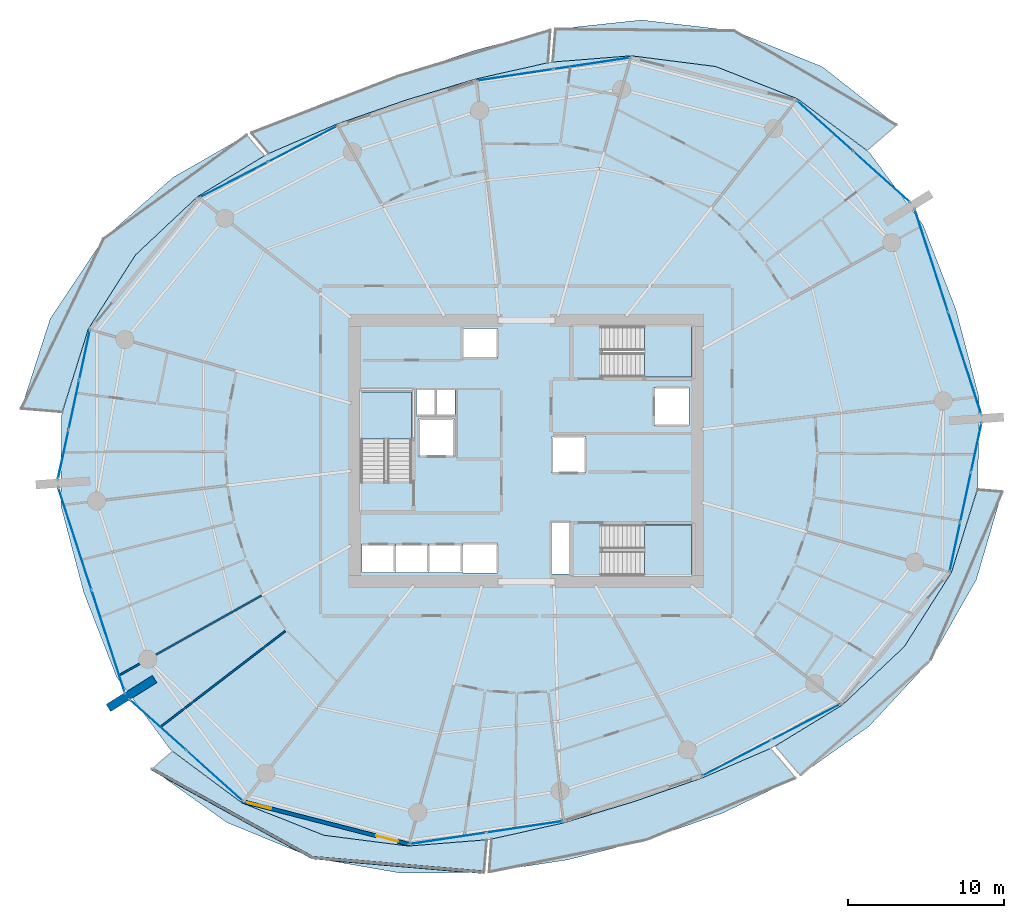
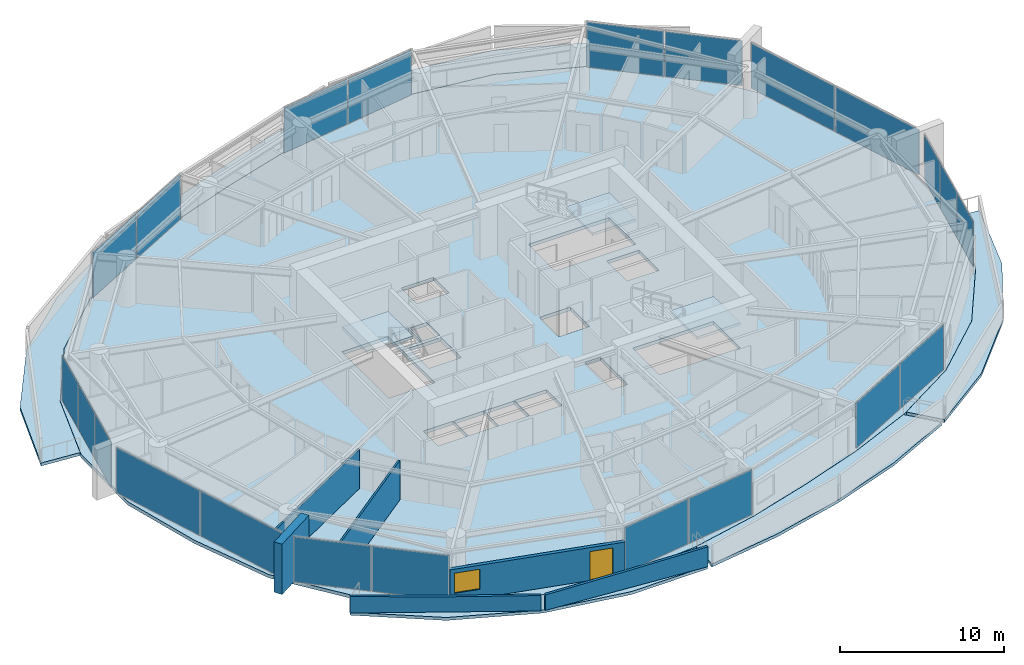
# One storey, part 10 of 23: 22 plates, 10 slabs, 6 walls, 1 door, 1 window, 2 openings, 13 elements without a shape of their own.
"""IFC4 building model written with IfcOpenShell, lengths in metres."""

import ifcopenshell
import ifcopenshell.guid

model = None  # the IFC model being written
_history = None  # IfcOwnerHistory: only IFC2X3 demands one
_inside = {}  # id of a spatial element -> (the spatial element, [elements in it])
_under = {}  # id of a project, library or spatial element -> (it, [spatial elements below it])
_declared = {}  # id of a project -> (the project, [libraries it declares])
_typed = {}  # id of a type object -> (the type object, [elements of that type])
_made_of = {}  # id of a material, layer set ... -> (it, [elements and type objects made of it])


def new_model(schema):
    """Start an empty IFC model of exactly this schema.

    Asked for "IFC4X3", IfcOpenShell would pick the latest addendum, in which some entities
    have other attributes; the version numbers below select the first issue.
    IFC2X3 requires an IfcOwnerHistory on every rooted entity: one is made here for all.
    """
    global model, _history
    if schema == "IFC4X3":
        model = ifcopenshell.file(schema_version=(4, 3, 0, 0))
    else:
        model = ifcopenshell.file(schema=schema)
    _inside.clear()
    _under.clear()
    _declared.clear()
    _typed.clear()
    _made_of.clear()
    _history = None
    if model.schema == "IFC2X3":
        org = make("IfcOrganization", Name="unknown")
        user = make(
            "IfcPersonAndOrganization",
            ThePerson=make("IfcPerson", FamilyName="unknown"),
            TheOrganization=org,
        )
        app = make(
            "IfcApplication",
            ApplicationDeveloper=org,
            Version="unknown",
            ApplicationFullName="unknown",
            ApplicationIdentifier="unknown",
        )
        _history = make(
            "IfcOwnerHistory",
            OwningUser=user,
            OwningApplication=app,
            ChangeAction="ADDED",
            CreationDate=0,
        )
    return model


def make(cls, **values):
    """One entity of the class cls with the attributes given. An attribute that is None is left unset."""
    return model.create_entity(
        cls, **{name: value for name, value in values.items() if value is not None}
    )


def rooted(cls, **values):
    """An entity with a GlobalId (a new one), such as an element, a storey or a relation."""
    return make(cls, GlobalId=ifcopenshell.guid.new(), OwnerHistory=_history, **values)


def si_unit(unit_type, name, prefix=None):
    """IfcSIUnit, for example si_unit("LENGTHUNIT", "METRE", prefix="MILLI")."""
    return make("IfcSIUnit", UnitType=unit_type, Prefix=prefix, Name=name)


def assignment(units):
    """IfcUnitAssignment: the units of a project."""
    return None if units is None else make("IfcUnitAssignment", Units=units)


def point(xyz):
    """IfcCartesianPoint."""
    return None if xyz is None else make("IfcCartesianPoint", Coordinates=xyz)


def direction(xyz):
    """IfcDirection."""
    return None if xyz is None else make("IfcDirection", DirectionRatios=xyz)


def frame(location, z_axis=None, x_axis=None):
    """IfcAxis2Placement3D, a coordinate frame: its origin and axes. An axis left out is left unset."""
    return make(
        "IfcAxis2Placement3D",
        Location=point(location),
        Axis=direction(z_axis),
        RefDirection=direction(x_axis),
    )


def frame_2d(location, x_axis=None):
    """IfcAxis2Placement2D, a coordinate frame in the plane: its origin and x axis."""
    return make(
        "IfcAxis2Placement2D", Location=point(location), RefDirection=direction(x_axis)
    )


def origin():
    """The frame at (0, 0, 0) with its axes left unset."""
    return frame((0.0, 0.0, 0.0))


def origin_2d():
    """The frame at (0, 0) in the plane with its x axis left unset."""
    return frame_2d((0.0, 0.0))


def place(relative_to, where):
    """IfcLocalPlacement: puts the frame where relative to a parent placement (None: the world)."""
    return make(
        "IfcLocalPlacement", PlacementRelTo=relative_to, RelativePlacement=where
    )


def context(
    kind, dimensions, precision=None, world=None, true_north=None, identifier=None
):
    """IfcGeometricRepresentationContext, for example the 3D "Model" context."""
    return make(
        "IfcGeometricRepresentationContext",
        ContextIdentifier=identifier,
        ContextType=kind,
        CoordinateSpaceDimension=dimensions,
        Precision=precision,
        WorldCoordinateSystem=world,
        TrueNorth=true_north,
    )


def subcontext(parent, identifier, kind, view, scale=None):
    """IfcGeometricRepresentationSubContext, for example "Body" below "Model"."""
    return make(
        "IfcGeometricRepresentationSubContext",
        ContextIdentifier=identifier,
        ContextType=kind,
        ParentContext=parent,
        TargetScale=scale,
        TargetView=view,
    )


def project(units=None, contexts=None):
    """IfcProject with its units and contexts."""
    return rooted(
        "IfcProject",
        Name="project",
        RepresentationContexts=contexts,
        UnitsInContext=assignment(units),
    )


def spatial(cls, under=None, at=None, **own):
    """A site, building, storey or space (cls), placed at a placement, below another one or the project."""
    s = rooted(cls, ObjectPlacement=at, **own)
    if under is not None:
        _under.setdefault(under.id(), (under, []))[1].append(s)
    return s


def polyline(points):
    """IfcPolyline through the points."""
    return make("IfcPolyline", Points=[point(p) for p in points])


def profile(cls, at=None, kind="AREA", **sizes):
    """A parametric profile (cls). Its sizes go by their IFC names, for example OverallWidth=200.0."""
    return make(cls, ProfileType=kind, Position=at, **sizes)


def rectangle(**sizes):
    """IfcRectangleProfileDef."""
    return profile("IfcRectangleProfileDef", **sizes)


def outline(outer, holes=None, kind="AREA"):
    """IfcArbitraryClosedProfileDef: a profile drawn as a closed curve; with holes, ...WithVoids."""
    if holes is None:
        return make("IfcArbitraryClosedProfileDef", ProfileType=kind, OuterCurve=outer)
    return make(
        "IfcArbitraryProfileDefWithVoids",
        ProfileType=kind,
        OuterCurve=outer,
        InnerCurves=holes,
    )


def extrude(swept, where, along, depth):
    """IfcExtrudedAreaSolid: the profile swept, set in the frame where, extruded along a direction by depth."""
    return make(
        "IfcExtrudedAreaSolid",
        SweptArea=swept,
        Position=where,
        ExtrudedDirection=direction(along),
        Depth=depth,
    )


def shape(context_of_items, identifier, shape_type, items):
    """IfcShapeRepresentation: the items that make up one representation, for example the "Body"."""
    return make(
        "IfcShapeRepresentation",
        ContextOfItems=context_of_items,
        RepresentationIdentifier=identifier,
        RepresentationType=shape_type,
        Items=items,
    )


def material(Name=None, Category=None):
    """IfcMaterial."""
    return make("IfcMaterial", Name=Name, Category=Category)


def layer(
    of_material, thickness, ventilated=None, Name=None, Category=None, Priority=None
):
    """IfcMaterialLayer: one layer of a wall or slab, of a material (None: an air gap)."""
    return make(
        "IfcMaterialLayer",
        Material=of_material,
        LayerThickness=thickness,
        IsVentilated=ventilated,
        Name=Name,
        Category=Category,
        Priority=Priority,
    )


def layer_set(layers, Name=None):
    """IfcMaterialLayerSet."""
    return make("IfcMaterialLayerSet", MaterialLayers=layers, LayerSetName=Name)


def made_of(thing, what):
    """Note that an element or type object is made of a material, layer set ...; save() writes the relation."""
    if what is not None:
        _made_of.setdefault(what.id(), (what, []))[1].append(thing)
    return thing


def type_object(cls, material=None, **own):
    """A type object (cls), such as IfcWallType, which elements share."""
    return made_of(rooted(cls, **own), material)


def element(
    cls,
    number,
    at=None,
    inside=None,
    cuts=None,
    type_object=None,
    material=None,
    context=None,
    identifier="Body",
    shape_type=None,
    held_by="IfcProductDefinitionShape",
    body=None,
    shapes=None,
    **own,
):
    """One element of the class cls, such as IfcWall. Its Tag is "e" and its number.

    at: its placement. inside: the storey or other place that contains it. cuts: it is an
    opening in that element (IfcRelVoidsElement). A single representation is given by context,
    identifier, shape_type and body (its items); several are given by shapes. held_by: the class
    of the entity that holds the representations. save() writes the other relations.
    """
    e = rooted(cls, Tag="e%d" % number, ObjectPlacement=at, **own)
    if body is not None:
        shapes = [shape(context, identifier, shape_type, body)]
    if shapes is not None:
        e.Representation = make(held_by, Representations=shapes)
    if inside is not None:
        _inside.setdefault(inside.id(), (inside, []))[1].append(e)
    if cuts is not None:
        rooted(
            "IfcRelVoidsElement", RelatingBuildingElement=cuts, RelatedOpeningElement=e
        )
    if type_object is not None:
        _typed.setdefault(type_object.id(), (type_object, []))[1].append(e)
    return made_of(e, material)


def fill(opening, filler):
    """IfcRelFillsElement: the door or window that sits in an opening."""
    return rooted(
        "IfcRelFillsElement",
        RelatingOpeningElement=opening,
        RelatedBuildingElement=filler,
    )


def aggregate(whole, parts):
    """IfcRelAggregates: a whole, such as a stair, and the parts it consists of."""
    return rooted("IfcRelAggregates", RelatingObject=whole, RelatedObjects=parts)


def save(model, path):
    """Write the relations noted so far, then the file.

    IfcRelAggregates (storeys below a building ...), IfcRelContainedInSpatialStructure (elements
    in a storey), IfcRelDefinesByType, IfcRelAssociatesMaterial and IfcRelDeclares: one each for
    every whole, place, type object, material and project.
    """
    for whole, parts in _under.values():
        aggregate(whole, parts)
    for where, things in _inside.values():
        rooted(
            "IfcRelContainedInSpatialStructure",
            RelatedElements=things,
            RelatingStructure=where,
        )
    for kind, things in _typed.values():
        rooted("IfcRelDefinesByType", RelatedObjects=things, RelatingType=kind)
    for what, things in _made_of.values():
        rooted("IfcRelAssociatesMaterial", RelatedObjects=things, RelatingMaterial=what)
    for by, libraries in _declared.values():
        rooted("IfcRelDeclares", RelatingContext=by, RelatedDefinitions=libraries)
    model.write(path)


model = new_model("IFC4")

# Units and contexts
model_context = context("Model", 3, precision=1e-05, world=origin(), true_north=direction((0.0, 1.0)))
body_context = subcontext(model_context, "Body", "Model", "MODEL_VIEW")
ifc_project = project(units=[si_unit("LENGTHUNIT", "METRE"), si_unit("AREAUNIT", "SQUARE_METRE"), si_unit("VOLUMEUNIT", "CUBIC_METRE"), si_unit("PLANEANGLEUNIT", "RADIAN"), si_unit("MASSUNIT", "GRAM", prefix="KILO")], contexts=[model_context])

# Site, building, storey
site_placement = place(None, origin())
site = spatial("IfcSite", under=ifc_project, at=site_placement, CompositionType="ELEMENT")
building_placement = place(site_placement, origin())
building = spatial("IfcBuilding", under=site, at=building_placement, Name="Kazma Halo Residences", CompositionType="ELEMENT")
storey_placement = place(building_placement, frame((0.0, 0.0, 101.39990234375)))
storey = spatial("IfcBuildingStorey", under=building, at=storey_placement, Name="L25", CompositionType="ELEMENT", Elevation=101.39990234375)

# Curtain wall, plates
ifc_material_1 = material(Name="Aluminium AW-6063 T6 and Triple-Silver Low-E Glass", Category="aluminium")
ifc_layer_1 = layer(ifc_material_1, 0.199951171875)
ifc_layer_set_1 = layer_set([ifc_layer_1], Name="Aluminium AW-6063 T6 and Triple-Silver Low-E Glass")
curtain_wall_type = type_object("IfcCurtainWallType", Name="CW-SYS-3", PredefinedType="NOTDEFINED", material=ifc_layer_set_1)
curtain_wall_1_placement = place(storey_placement, origin())
curtain_wall_1 = element("IfcCurtainWall", 1, at=curtain_wall_1_placement, inside=storey, type_object=curtain_wall_type, Name="L25 unitised curtain wall B01", PredefinedType="NOTDEFINED")
ifc_material_2 = material(Name="Clear Triple-Silver Low-E Glass IGU", Category="glass")
ifc_layer_2 = layer(ifc_material_2, 0.030029296875)
ifc_layer_set_2 = layer_set([ifc_layer_2], Name="Clear Triple-Silver Low-E Glass IGU")
plate_type = type_object("IfcPlateType", Name="CW-SYS-3-PNL", PredefinedType="CURTAIN_PANEL", material=ifc_layer_set_2)
plate_1_placement = place(storey_placement, frame((71.251220703125, 59.614013671875, 0.06982421875), z_axis=(0.0, 0.0, 1.0), x_axis=(-0.744345279359, 0.667794957375, 0.0)))
plate_1 = element("IfcPlate", 2, at=plate_1_placement, type_object=plate_type, Name="CWS-3 panel 1.1", PredefinedType="CURTAIN_PANEL", context=body_context, shape_type="SweptSolid", body=[
    extrude(rectangle(XDim=4.81982421875, YDim=0.030029296875, at=origin_2d()), origin(), (0.0, 0.0, 1.0), 3.360107421875),
])
plate_2_placement = place(storey_placement, frame((67.611572265625, 62.87939453125, 0.06982421875), z_axis=(0.0, 0.0, 1.0), x_axis=(-0.744345279359, 0.667794957375, 0.0)))
plate_2 = element("IfcPlate", 3, at=plate_2_placement, type_object=plate_type, Name="CWS-3 panel 2.1", PredefinedType="CURTAIN_PANEL", context=body_context, shape_type="SweptSolid", body=[
    extrude(rectangle(XDim=4.81982421875, YDim=0.030029296875, at=origin_2d()), origin(), (0.0, 0.0, 1.0), 3.360107421875),
])
aggregate(curtain_wall_1, [plate_1, plate_2])

curtain_wall_2_placement = place(storey_placement, origin())
curtain_wall_2 = element("IfcCurtainWall", 4, at=curtain_wall_2_placement, inside=storey, type_object=curtain_wall_type, Name="L25 unitised curtain wall B03", PredefinedType="NOTDEFINED")
plate_3_placement = place(storey_placement, frame((52.625732421875, 66.900390625, 0.06982421875), z_axis=(0.0, 0.0, 1.0), x_axis=(-0.988879747814, -0.148717330409, 0.0)))
plate_3 = element("IfcPlate", 5, at=plate_3_placement, type_object=plate_type, Name="CWS-3 panel 1.1", PredefinedType="CURTAIN_PANEL", context=body_context, shape_type="SweptSolid", body=[
    extrude(rectangle(XDim=4.922607421875, YDim=0.030029296875, at=origin_2d()), origin(), (0.0, 0.0, 1.0), 3.360107421875),
])
plate_4_placement = place(storey_placement, frame((47.6884765625, 66.157958984375, 0.06982421875), z_axis=(0.0, 0.0, 1.0), x_axis=(-0.988879747814, -0.148717330409, 0.0)))
plate_4 = element("IfcPlate", 6, at=plate_4_placement, type_object=plate_type, Name="CWS-3 panel 2.1", PredefinedType="CURTAIN_PANEL", context=body_context, shape_type="SweptSolid", body=[
    extrude(rectangle(XDim=4.922607421875, YDim=0.030029296875, at=origin_2d()), origin(), (0.0, 0.0, 1.0), 3.360107421875),
])
aggregate(curtain_wall_2, [plate_3, plate_4])

curtain_wall_3_placement = place(storey_placement, origin())
curtain_wall_3 = element("IfcCurtainWall", 7, at=curtain_wall_3_placement, inside=storey, type_object=curtain_wall_type, Name="L25 unitised curtain wall B05", PredefinedType="NOTDEFINED")
plate_5_placement = place(storey_placement, frame((34.052490234375, 61.727294921875, 0.06982421875), z_axis=(0.0, 0.0, 1.0), x_axis=(-0.887435374749, -0.460932159481, 0.0)))
plate_5 = element("IfcPlate", 8, at=plate_5_placement, type_object=plate_type, Name="CWS-3 panel 1.1", PredefinedType="CURTAIN_PANEL", context=body_context, shape_type="SweptSolid", body=[
    extrude(rectangle(XDim=4.9228515625, YDim=0.030029296875, at=origin_2d()), origin(), (0.0, 0.0, 1.0), 3.360107421875),
])
plate_6_placement = place(storey_placement, frame((29.62158203125, 59.426025390625, 0.06982421875), z_axis=(0.0, 0.0, 1.0), x_axis=(-0.887435374749, -0.460932159481, 0.0)))
plate_6 = element("IfcPlate", 9, at=plate_6_placement, type_object=plate_type, Name="CWS-3 panel 2.1", PredefinedType="CURTAIN_PANEL", context=body_context, shape_type="SweptSolid", body=[
    extrude(rectangle(XDim=4.9228515625, YDim=0.030029296875, at=origin_2d()), origin(), (0.0, 0.0, 1.0), 3.360107421875),
])
aggregate(curtain_wall_3, [plate_5, plate_6])

curtain_wall_4_placement = place(storey_placement, origin())
curtain_wall_4 = element("IfcCurtainWall", 10, at=curtain_wall_4_placement, inside=storey, type_object=curtain_wall_type, Name="L25 unitised curtain wall B07", PredefinedType="NOTDEFINED")
plate_7_placement = place(storey_placement, frame((20.033447265625, 48.1669921875, 0.06982421875), z_axis=(0.0, 0.0, 1.0), x_axis=(-0.209660822677, -0.977774176093, 0.0)))
plate_7 = element("IfcPlate", 11, at=plate_7_placement, type_object=plate_type, Name="CWS-3 panel 1.1", PredefinedType="CURTAIN_PANEL", context=body_context, shape_type="SweptSolid", body=[
    extrude(rectangle(XDim=3.17822265625, YDim=0.030029296875, at=origin_2d()), origin(), (0.0, 0.0, 1.0), 3.360107421875),
])
plate_8_placement = place(storey_placement, frame((19.3486328125, 44.973876953125, 0.06982421875), z_axis=(0.0, 0.0, 1.0), x_axis=(-0.209660822677, -0.977774176093, 0.0)))
plate_8 = element("IfcPlate", 12, at=plate_8_placement, type_object=plate_type, Name="CWS-3 panel 2.1", PredefinedType="CURTAIN_PANEL", context=body_context, shape_type="SweptSolid", body=[
    extrude(rectangle(XDim=3.213134765625, YDim=0.030029296875, at=origin_2d()), origin(), (0.0, 0.0, 1.0), 3.360107421875),
])
plate_9_placement = place(storey_placement, frame((18.6640625, 41.78076171875, 0.06982421875), z_axis=(0.0, 0.0, 1.0), x_axis=(-0.209660822677, -0.977774176093, 0.0)))
plate_9 = element("IfcPlate", 13, at=plate_9_placement, type_object=plate_type, Name="CWS-3 panel 3.1", PredefinedType="CURTAIN_PANEL", context=body_context, shape_type="SweptSolid", body=[
    extrude(rectangle(XDim=3.17822265625, YDim=0.030029296875, at=origin_2d()), origin(), (0.0, 0.0, 1.0), 3.360107421875),
])
aggregate(curtain_wall_4, [plate_7, plate_8, plate_9])

curtain_wall_5_placement = place(storey_placement, origin())
curtain_wall_5 = element("IfcCurtainWall", 14, at=curtain_wall_5_placement, inside=storey, type_object=curtain_wall_type, Name="L25 unitised curtain wall B08", PredefinedType="NOTDEFINED")
plate_10_placement = place(storey_placement, frame((19.40673828125, 36.357421875, 0.06982421875), z_axis=(0.0, 0.0, 1.0), x_axis=(0.309013282008, -0.951057722508, 0.0)))
plate_10 = element("IfcPlate", 15, at=plate_10_placement, type_object=plate_type, Name="CWS-3 panel 1.1", PredefinedType="CURTAIN_PANEL", context=body_context, shape_type="SweptSolid", body=[
    extrude(rectangle(XDim=6.868896484375, YDim=0.030029296875, at=origin_2d()), origin(), (0.0, 0.0, 1.0), 3.360107421875),
])
plate_11_placement = place(storey_placement, frame((21.551025390625, 29.758056640625, 0.06982421875), z_axis=(0.0, 0.0, 1.0), x_axis=(0.309013282008, -0.951057722508, 0.0)))
plate_11 = element("IfcPlate", 16, at=plate_11_placement, type_object=plate_type, Name="CWS-3 panel 2.1", PredefinedType="CURTAIN_PANEL", context=body_context, shape_type="SweptSolid", body=[
    extrude(rectangle(XDim=6.868896484375, YDim=0.030029296875, at=origin_2d()), origin(), (0.0, 0.0, 1.0), 3.360107421875),
])
aggregate(curtain_wall_5, [plate_10, plate_11])

curtain_wall_6_placement = place(storey_placement, origin())
curtain_wall_6 = element("IfcCurtainWall", 17, at=curtain_wall_6_placement, inside=storey, type_object=curtain_wall_type, Name="L25 unitised curtain wall B09", PredefinedType="NOTDEFINED")
plate_12_placement = place(storey_placement, frame((24.748779296875, 24.385986328125, 0.06982421875), z_axis=(0.0, 0.0, 1.0), x_axis=(0.744345279359, -0.667794957375, 0.0)))
plate_12 = element("IfcPlate", 18, at=plate_12_placement, type_object=plate_type, Name="CWS-3 panel 1.1", PredefinedType="CURTAIN_PANEL", context=body_context, shape_type="SweptSolid", body=[
    extrude(rectangle(XDim=4.81982421875, YDim=0.030029296875, at=origin_2d()), origin(), (0.0, 0.0, 1.0), 3.360107421875),
])
plate_13_placement = place(storey_placement, frame((28.388427734375, 21.12060546875, 0.06982421875), z_axis=(0.0, 0.0, 1.0), x_axis=(0.744345279359, -0.667794957375, 0.0)))
plate_13 = element("IfcPlate", 19, at=plate_13_placement, type_object=plate_type, Name="CWS-3 panel 2.1", PredefinedType="CURTAIN_PANEL", context=body_context, shape_type="SweptSolid", body=[
    extrude(rectangle(XDim=4.81982421875, YDim=0.030029296875, at=origin_2d()), origin(), (0.0, 0.0, 1.0), 3.360107421875),
])
aggregate(curtain_wall_6, [plate_12, plate_13])

curtain_wall_7_placement = place(storey_placement, origin())
curtain_wall_7 = element("IfcCurtainWall", 20, at=curtain_wall_7_placement, inside=storey, type_object=curtain_wall_type, Name="L25 unitised curtain wall B11", PredefinedType="NOTDEFINED")
plate_14_placement = place(storey_placement, frame((43.374267578125, 17.099609375, 0.06982421875), z_axis=(0.0, 0.0, 1.0), x_axis=(0.988879747814, 0.148717330409, 0.0)))
plate_14 = element("IfcPlate", 21, at=plate_14_placement, type_object=plate_type, Name="CWS-3 panel 1.1", PredefinedType="CURTAIN_PANEL", context=body_context, shape_type="SweptSolid", body=[
    extrude(rectangle(XDim=4.922607421875, YDim=0.030029296875, at=origin_2d()), origin(), (0.0, 0.0, 1.0), 3.360107421875),
])
plate_15_placement = place(storey_placement, frame((48.3115234375, 17.842041015625, 0.06982421875), z_axis=(0.0, 0.0, 1.0), x_axis=(0.988879747814, 0.148717330409, 0.0)))
plate_15 = element("IfcPlate", 22, at=plate_15_placement, type_object=plate_type, Name="CWS-3 panel 2.1", PredefinedType="CURTAIN_PANEL", context=body_context, shape_type="SweptSolid", body=[
    extrude(rectangle(XDim=4.922607421875, YDim=0.030029296875, at=origin_2d()), origin(), (0.0, 0.0, 1.0), 3.360107421875),
])
aggregate(curtain_wall_7, [plate_14, plate_15])

curtain_wall_8_placement = place(storey_placement, origin())
curtain_wall_8 = element("IfcCurtainWall", 23, at=curtain_wall_8_placement, inside=storey, type_object=curtain_wall_type, Name="L25 unitised curtain wall B13", PredefinedType="NOTDEFINED")
plate_16_placement = place(storey_placement, frame((61.947509765625, 22.272705078125, 0.06982421875), z_axis=(0.0, 0.0, 1.0), x_axis=(0.887435374749, 0.460932159481, 0.0)))
plate_16 = element("IfcPlate", 24, at=plate_16_placement, type_object=plate_type, Name="CWS-3 panel 1.1", PredefinedType="CURTAIN_PANEL", context=body_context, shape_type="SweptSolid", body=[
    extrude(rectangle(XDim=4.9228515625, YDim=0.030029296875, at=origin_2d()), origin(), (0.0, 0.0, 1.0), 3.360107421875),
])
plate_17_placement = place(storey_placement, frame((66.37841796875, 24.573974609375, 0.06982421875), z_axis=(0.0, 0.0, 1.0), x_axis=(0.887435374749, 0.460932159481, 0.0)))
plate_17 = element("IfcPlate", 25, at=plate_17_placement, type_object=plate_type, Name="CWS-3 panel 2.1", PredefinedType="CURTAIN_PANEL", context=body_context, shape_type="SweptSolid", body=[
    extrude(rectangle(XDim=4.9228515625, YDim=0.030029296875, at=origin_2d()), origin(), (0.0, 0.0, 1.0), 3.360107421875),
])
aggregate(curtain_wall_8, [plate_16, plate_17])

curtain_wall_9_placement = place(storey_placement, origin())
curtain_wall_9 = element("IfcCurtainWall", 26, at=curtain_wall_9_placement, inside=storey, type_object=curtain_wall_type, Name="L25 unitised curtain wall B15", PredefinedType="NOTDEFINED")
plate_18_placement = place(storey_placement, frame((75.966552734375, 35.8330078125, 0.06982421875), z_axis=(0.0, 0.0, 1.0), x_axis=(0.209660822677, 0.977774176093, 0.0)))
plate_18 = element("IfcPlate", 27, at=plate_18_placement, type_object=plate_type, Name="CWS-3 panel 1.1", PredefinedType="CURTAIN_PANEL", context=body_context, shape_type="SweptSolid", body=[
    extrude(rectangle(XDim=3.17822265625, YDim=0.030029296875, at=origin_2d()), origin(), (0.0, 0.0, 1.0), 3.360107421875),
])
plate_19_placement = place(storey_placement, frame((76.6513671875, 39.026123046875, 0.06982421875), z_axis=(0.0, 0.0, 1.0), x_axis=(0.209660822677, 0.977774176093, 0.0)))
plate_19 = element("IfcPlate", 28, at=plate_19_placement, type_object=plate_type, Name="CWS-3 panel 2.1", PredefinedType="CURTAIN_PANEL", context=body_context, shape_type="SweptSolid", body=[
    extrude(rectangle(XDim=3.213134765625, YDim=0.030029296875, at=origin_2d()), origin(), (0.0, 0.0, 1.0), 3.360107421875),
])
plate_20_placement = place(storey_placement, frame((77.3359375, 42.21923828125, 0.06982421875), z_axis=(0.0, 0.0, 1.0), x_axis=(0.209660822677, 0.977774176093, 0.0)))
plate_20 = element("IfcPlate", 29, at=plate_20_placement, type_object=plate_type, Name="CWS-3 panel 3.1", PredefinedType="CURTAIN_PANEL", context=body_context, shape_type="SweptSolid", body=[
    extrude(rectangle(XDim=3.17822265625, YDim=0.030029296875, at=origin_2d()), origin(), (0.0, 0.0, 1.0), 3.360107421875),
])
aggregate(curtain_wall_9, [plate_18, plate_19, plate_20])

curtain_wall_10_placement = place(storey_placement, origin())
curtain_wall_10 = element("IfcCurtainWall", 30, at=curtain_wall_10_placement, inside=storey, type_object=curtain_wall_type, Name="L25 unitised curtain wall B16", PredefinedType="NOTDEFINED")
plate_21_placement = place(storey_placement, frame((76.59326171875, 47.642578125, 0.06982421875), z_axis=(0.0, 0.0, 1.0), x_axis=(-0.309013282008, 0.951057722508, 0.0)))
plate_21 = element("IfcPlate", 31, at=plate_21_placement, type_object=plate_type, Name="CWS-3 panel 1.1", PredefinedType="CURTAIN_PANEL", context=body_context, shape_type="SweptSolid", body=[
    extrude(rectangle(XDim=6.868896484375, YDim=0.030029296875, at=origin_2d()), origin(), (0.0, 0.0, 1.0), 3.360107421875),
])
plate_22_placement = place(storey_placement, frame((74.448974609375, 54.241943359375, 0.06982421875), z_axis=(0.0, 0.0, 1.0), x_axis=(-0.309013282008, 0.951057722508, 0.0)))
plate_22 = element("IfcPlate", 32, at=plate_22_placement, type_object=plate_type, Name="CWS-3 panel 2.1", PredefinedType="CURTAIN_PANEL", context=body_context, shape_type="SweptSolid", body=[
    extrude(rectangle(XDim=6.868896484375, YDim=0.030029296875, at=origin_2d()), origin(), (0.0, 0.0, 1.0), 3.360107421875),
])
aggregate(curtain_wall_10, [plate_21, plate_22])

# Slabs
ifc_material_3 = material(Name="White Concrete C50/60", Category="concrete")
ifc_layer_3 = layer(ifc_material_3, 0.219970703125)
ifc_layer_set_3 = layer_set([ifc_layer_3], Name="White Concrete C50/60")
slab_type_1 = type_object("IfcSlabType", Name="SLB-BAL-WAVE-210", PredefinedType="FLOOR", material=ifc_layer_set_3)
slab_1_placement = place(storey_placement, frame((0.0, 0.0, -0.219970703125)))
element("IfcSlab", 33, at=slab_1_placement, inside=storey, type_object=slab_type_1, Name="L25 NE cantilevered wave balcony slab", PredefinedType="FLOOR", context=body_context, shape_type="SweptSolid", body=[
    extrude(outline(polyline([(70.323974609375, 61.303466796875), (65.841064453125, 64.63134765625), (60.5869140625, 66.702880859375), (55.161865234375, 67.394287109375), (50.12060546875, 66.992431640625), (50.2998046875, 69.104248046875), (55.809814453125, 69.691650390625), (61.75732421875, 69.000244140625), (67.455810546875, 66.679443359375), (72.210693359375, 62.93505859375), (70.323974609375, 61.303466796875)])), origin(), (0.0, 0.0, 1.0), 0.219970703125),
])
slab_2_placement = place(storey_placement, frame((0.0, 0.0, -0.219970703125)))
element("IfcSlab", 34, at=slab_2_placement, inside=storey, type_object=slab_type_1, Name="L25 NNW cantilevered wave balcony slab", PredefinedType="FLOOR", context=body_context, shape_type="SweptSolid", body=[
    extrude(outline(polyline([(49.81005859375, 66.94580078125), (45.1708984375, 65.902587890625), (40.675048828125, 64.544189453125), (36.239013671875, 63.00048828125), (31.872802734375, 61.11767578125), (30.7568359375, 62.440673828125), (35.463134765625, 64.385986328125), (40.175048828125, 66.08251953125), (44.958251953125, 67.69921875), (49.961669921875, 69.035888671875), (49.81005859375, 66.94580078125)])), origin(), (0.0, 0.0, 1.0), 0.219970703125),
])
slab_3_placement = place(storey_placement, frame((0.0, 0.0, -0.219970703125)))
element("IfcSlab", 35, at=slab_3_placement, inside=storey, type_object=slab_type_1, Name="L25 NW cantilevered wave balcony slab", PredefinedType="FLOOR", context=body_context, shape_type="SweptSolid", body=[
    extrude(outline(polyline([(31.59423828125, 60.972900390625), (27.279541015625, 58.334716796875), (23.297119140625, 54.5869140625), (20.263916015625, 49.822509765625), (18.59326171875, 44.4951171875), (15.962646484375, 44.718505859375), (17.82861328125, 50.50927734375), (21.25048828125, 55.629638671875), (25.71142578125, 59.57080078125), (30.4501953125, 62.295654296875), (31.59423828125, 60.972900390625)])), origin(), (0.0, 0.0, 1.0), 0.219970703125),
])
slab_4_placement = place(storey_placement, frame((0.0, 0.0, -0.219970703125)))
element("IfcSlab", 36, at=slab_4_placement, inside=storey, type_object=slab_type_1, Name="L25 SW cantilevered wave balcony slab", PredefinedType="FLOOR", context=body_context, shape_type="SweptSolid", body=[
    extrude(outline(polyline([(25.676025390625, 22.696533203125), (30.158935546875, 19.36865234375), (35.4130859375, 17.297119140625), (40.838134765625, 16.605712890625), (45.87939453125, 17.007568359375), (45.701904296875, 14.914794921875), (40.346923828125, 14.864501953125), (34.678955078125, 15.855712890625), (29.17578125, 18.12158203125), (24.355712890625, 21.5546875), (25.676025390625, 22.696533203125)])), origin(), (0.0, 0.0, 1.0), 0.219970703125),
])
slab_5_placement = place(storey_placement, frame((0.0, 0.0, -0.219970703125)))
element("IfcSlab", 37, at=slab_5_placement, inside=storey, type_object=slab_type_1, Name="L25 SSE cantilevered wave balcony slab", PredefinedType="FLOOR", context=body_context, shape_type="SweptSolid", body=[
    extrude(outline(polyline([(46.18994140625, 17.05419921875), (50.8291015625, 18.097412109375), (55.324951171875, 19.455810546875), (59.760986328125, 20.99951171875), (64.127197265625, 22.88232421875), (65.725830078125, 20.987060546875), (61.03515625, 18.72412109375), (56.121826171875, 17.003662109375), (51.109619140625, 15.72705078125), (46.036865234375, 14.945068359375), (46.18994140625, 17.05419921875)])), origin(), (0.0, 0.0, 1.0), 0.219970703125),
])
slab_6_placement = place(storey_placement, frame((0.0, 0.0, -0.219970703125)))
element("IfcSlab", 38, at=slab_6_placement, inside=storey, type_object=slab_type_1, Name="L25 SE cantilevered wave balcony slab", PredefinedType="FLOOR", context=body_context, shape_type="SweptSolid", body=[
    extrude(outline(polyline([(64.40576171875, 23.027099609375), (68.720458984375, 25.665283203125), (72.702880859375, 29.4130859375), (75.736083984375, 34.177490234375), (77.40673828125, 39.5048828125), (79.001220703125, 39.369384765625), (77.339111328125, 33.7255859375), (74.39501953125, 28.551025390625), (70.44775390625, 24.3037109375), (66.021728515625, 21.158203125), (64.40576171875, 23.027099609375)])), origin(), (0.0, 0.0, 1.0), 0.219970703125),
])
ifc_material_4 = material(Name="Concrete C50/60", Category="concrete")
ifc_layer_4 = layer(ifc_material_4, 0.25)
ifc_layer_set_4 = layer_set([ifc_layer_4], Name="Concrete C50/60")
slab_type_2 = type_object("IfcSlabType", Name="SLB-RES-250", PredefinedType="FLOOR", material=ifc_layer_set_4)
slab_7_placement = place(storey_placement, frame((0.0, 0.0, -0.25)))
element("IfcSlab", 39, at=slab_7_placement, inside=storey, type_object=slab_type_2, Name="L25 structural floor slab", PredefinedType="FLOOR", context=body_context, shape_type="SweptSolid", body=[
    extrude(outline(polyline([(76.02001953125, 51.104248046875), (73.918212890625, 56.514892578125), (70.459716796875, 61.182373046875), (65.83984375, 64.629638671875), (60.5859375, 66.701171875), (55.161376953125, 67.392333984375), (49.9658203125, 66.976806640625), (45.171142578125, 65.900634765625), (40.675537109375, 64.542236328125), (36.239990234375, 62.998779296875), (31.728759765625, 61.05126953125), (27.281005859375, 58.33349609375), (23.298828125, 54.5859375), (20.265869140625, 49.82177734375), (18.554443359375, 44.3173828125), (18.500244140625, 38.508544921875), (19.97998046875, 32.895751953125), (22.081787109375, 27.485107421875), (25.540283203125, 22.817626953125), (30.16015625, 19.370361328125), (35.4140625, 17.298828125), (40.838623046875, 16.607666015625), (46.0341796875, 17.023193359375), (50.828857421875, 18.099365234375), (55.324462890625, 19.457763671875), (59.760009765625, 21.001220703125), (64.271240234375, 22.94873046875), (68.718994140625, 25.66650390625), (72.701171875, 29.4140625), (75.734130859375, 34.17822265625), (77.445556640625, 39.6826171875), (77.499755859375, 45.491455078125), (76.02001953125, 51.104248046875)]), holes=[polyline([(37.800048828125, 40.110107421875), (41.050048828125, 40.110107421875), (41.050048828125, 45.800048828125), (37.800048828125, 45.800048828125), (37.800048828125, 40.110107421875)]), polyline([(53.360107421875, 46.75), (59.050048828125, 46.75), (59.050048828125, 50.0), (53.360107421875, 50.0), (53.360107421875, 46.75)]), polyline([(53.360107421875, 34.0), (59.050048828125, 34.0), (59.050048828125, 37.25), (53.360107421875, 37.25), (53.360107421875, 34.0)]), polyline([(41.52001953125, 41.6201171875), (43.780029296875, 41.6201171875), (43.780029296875, 44.080078125), (41.52001953125, 44.080078125), (41.52001953125, 41.6201171875)]), polyline([(56.6201171875, 43.6201171875), (58.8798828125, 43.6201171875), (58.8798828125, 46.080078125), (56.6201171875, 46.080078125), (56.6201171875, 43.6201171875)]), polyline([(37.864990234375, 34.195068359375), (39.97509765625, 34.195068359375), (39.97509765625, 36.0048828125), (37.864990234375, 36.0048828125), (37.864990234375, 34.195068359375)]), polyline([(40.014892578125, 34.195068359375), (42.125, 34.195068359375), (42.125, 36.0048828125), (40.014892578125, 36.0048828125), (40.014892578125, 34.195068359375)]), polyline([(42.1650390625, 34.195068359375), (44.27490234375, 34.195068359375), (44.27490234375, 36.0048828125), (42.1650390625, 36.0048828125), (42.1650390625, 34.195068359375)]), polyline([(44.320068359375, 47.945068359375), (46.580078125, 47.945068359375), (46.580078125, 49.85498046875), (44.320068359375, 49.85498046875), (44.320068359375, 47.945068359375)]), polyline([(44.320068359375, 34.14501953125), (46.580078125, 34.14501953125), (46.580078125, 36.054931640625), (44.320068359375, 36.054931640625), (44.320068359375, 34.14501953125)]), polyline([(50.070068359375, 40.570068359375), (52.22998046875, 40.570068359375), (52.22998046875, 42.929931640625), (50.070068359375, 42.929931640625), (50.070068359375, 40.570068359375)]), polyline([(41.360107421875, 44.340087890625), (42.5400390625, 44.340087890625), (42.5400390625, 45.89990234375), (41.360107421875, 45.89990234375), (41.360107421875, 44.340087890625)]), polyline([(42.659912109375, 44.340087890625), (43.840087890625, 44.340087890625), (43.840087890625, 45.89990234375), (42.659912109375, 45.89990234375), (42.659912109375, 44.340087890625)]), polyline([(50.06005859375, 34.080078125), (51.159912109375, 34.080078125), (51.159912109375, 37.3798828125), (50.06005859375, 37.3798828125), (50.06005859375, 34.080078125)])]), origin(), (0.0, 0.0, 1.0), 0.25),
])

# Stair, slab
stair_type = type_object("IfcStairType", Name="STR-RES1", PredefinedType="HALF_TURN_STAIR", material=ifc_material_4)
stair_1_placement = place(storey_placement, origin())
stair_1 = element("IfcStair", 40, at=stair_1_placement, inside=storey, type_object=stair_type, Name="L25 Core exit stair ST-01", PredefinedType="HALF_TURN_STAIR")
ifc_layer_5 = layer(ifc_material_4, 0.199951171875)
ifc_layer_set_5 = layer_set([ifc_layer_5], Name="Concrete C50/60")
slab_type_3 = type_object("IfcSlabType", Name="SLB-STAIR-LND-200", PredefinedType="LANDING", material=ifc_layer_set_5)
slab_8_placement = place(storey_placement, frame((0.0, 0.0, 1.675048828125)))
slab_8 = element("IfcSlab", 41, at=slab_8_placement, type_object=slab_type_3, Name="ST-01 landing 1", PredefinedType="LANDING", context=body_context, shape_type="SweptSolid", body=[
    extrude(outline(polyline([(41.050048828125, 42.75), (41.050048828125, 45.800048828125), (37.800048828125, 45.800048828125), (37.800048828125, 42.75), (41.050048828125, 42.75)])), origin(), (0.0, 0.0, 1.0), 0.199951171875),
])
aggregate(stair_1, [slab_8])

stair_2_placement = place(storey_placement, origin())
stair_2 = element("IfcStair", 42, at=stair_2_placement, inside=storey, type_object=stair_type, Name="L25 Core exit stair ST-02", PredefinedType="HALF_TURN_STAIR")
slab_9_placement = place(storey_placement, frame((0.0, 0.0, 1.675048828125)))
slab_9 = element("IfcSlab", 43, at=slab_9_placement, type_object=slab_type_3, Name="ST-02 landing 1", PredefinedType="LANDING", context=body_context, shape_type="SweptSolid", body=[
    extrude(outline(polyline([(56.0, 46.75), (59.050048828125, 46.75), (59.050048828125, 50.0), (56.0, 50.0), (56.0, 46.75)])), origin(), (0.0, 0.0, 1.0), 0.199951171875),
])
aggregate(stair_2, [slab_9])

stair_3_placement = place(storey_placement, origin())
stair_3 = element("IfcStair", 44, at=stair_3_placement, inside=storey, type_object=stair_type, Name="L25 Core exit stair ST-03", PredefinedType="HALF_TURN_STAIR")
slab_10_placement = place(storey_placement, frame((0.0, 0.0, 1.675048828125)))
slab_10 = element("IfcSlab", 45, at=slab_10_placement, type_object=slab_type_3, Name="ST-03 landing 1", PredefinedType="LANDING", context=body_context, shape_type="SweptSolid", body=[
    extrude(outline(polyline([(56.0, 34.0), (59.050048828125, 34.0), (59.050048828125, 37.25), (56.0, 37.25), (56.0, 34.0)])), origin(), (0.0, 0.0, 1.0), 0.199951171875),
])
aggregate(stair_3, [slab_10])

# Walls
ifc_material_5 = material(Name="White Concrete C50/60 Balustrade", Category="concrete")
ifc_layer_6 = layer(ifc_material_5, 0.179931640625)
ifc_layer_set_6 = layer_set([ifc_layer_6], Name="White Concrete C50/60 Balustrade")
wall_type_1 = type_object("IfcWallType", Name="WL-BAL-WAVE-180", PredefinedType="PARAPET", material=ifc_layer_set_6)
wall_1_placement = place(storey_placement, frame((24.355712890625, 21.5546875, 0.0), z_axis=(0.0, 0.0, 1.0), x_axis=(0.875456537623, -0.483296855704, 0.0)))
element("IfcWall", 46, at=wall_1_placement, inside=storey, type_object=wall_type_1, Name="L25 white wave balustrade wall SW.1", PredefinedType="PARAPET", context=body_context, shape_type="SweptSolid", body=[
    extrude(outline(polyline([(0.0, 0.0), (11.671630859375, 0.0), (11.671875, 1.148193359375), (5.8359375, 1.127197265625), (0.0, 1.22412109375), (0.0, 0.0)])), frame((0.0, 0.08984375, 0.0), z_axis=(0.0, -1.0, 0.0), x_axis=(1.0, 0.0, 0.0)), (0.0, 0.0, 1.0), 0.179931640625),
])
wall_2_placement = place(storey_placement, frame((34.798583984375, 15.845703125, 0.0), z_axis=(0.0, 0.0, 1.0), x_axis=(0.996375069037, -0.08506892383, 0.0)))
element("IfcWall", 47, at=wall_2_placement, inside=storey, type_object=wall_type_1, Name="L25 white wave balustrade wall SW.2", PredefinedType="PARAPET", context=body_context, shape_type="SweptSolid", body=[
    extrude(outline(polyline([(0.0, 0.0), (10.94287109375, 0.0), (10.943115234375, 1.483154296875), (5.471435546875, 1.2841796875), (0.0, 1.148193359375), (0.0, 0.0)])), frame((0.0, 0.08984375, 0.0), z_axis=(0.0, -1.0, 0.0), x_axis=(1.0, 0.0, 0.0)), (0.0, 0.0, 1.0), 0.179931640625),
])
ifc_material_6 = material(Name="Pale Concrete C60/75", Category="concrete")
ifc_layer_7 = layer(ifc_material_6, 0.550048828125)
ifc_layer_set_7 = layer_set([ifc_layer_7], Name="Pale Concrete C60/75")
wall_type_2 = type_object("IfcWallType", Name="WL-BLADE-550", PredefinedType="SOLIDWALL", material=ifc_layer_set_7)
wall_3_placement = place(storey_placement, frame((24.531494140625, 27.335205078125, 0.0), z_axis=(0.0, 0.0, 1.0), x_axis=(-0.848053161125, -0.529911158502, 0.0)))
element("IfcWall", 48, at=wall_3_placement, inside=storey, type_object=wall_type_2, Name="L25 pale concrete structural blade fin wall BW-03", PredefinedType="SOLIDWALL", context=body_context, shape_type="SweptSolid", body=[
    extrude(rectangle(XDim=3.5, YDim=0.550048828125, at=frame_2d((1.75, 0.0))), origin(), (0.0, 0.0, 1.0), 3.75),
])

# Wall, openings, door, window
ifc_material_7 = material(Name="Insulated Pale-Metal Composite Wall")
ifc_layer_8 = layer(ifc_material_7, 0.239990234375)
ifc_layer_set_8 = layer_set([ifc_layer_8], Name="Insulated Pale-Metal Composite Wall")
wall_type_3 = type_object("IfcWallType", Name="WL-EXT-HOST-240", PredefinedType="SOLIDWALL", material=ifc_layer_set_8)
wall_4_placement = place(storey_placement, frame((30.18603515625, 19.47705078125, 0.0), z_axis=(0.0, 0.0, 1.0), x_axis=(0.968356180858, -0.249572248045, 0.0)))
wall_4 = element("IfcWall", 49, at=wall_4_placement, inside=storey, type_object=wall_type_3, Name="L25 exterior terrace-access wall B10", PredefinedType="SOLIDWALL", context=body_context, shape_type="SweptSolid", body=[
    extrude(rectangle(XDim=11.08447265625, YDim=0.239990234375, at=frame_2d((5.542236328125, 0.0))), origin(), (0.0, 0.0, 1.0), 2.4501953125),
])
opening_1_placement = place(wall_4_placement, frame((8.864501953125, 0.0, 0.0)))
opening_1 = element("IfcOpeningElement", 50, at=opening_1_placement, cuts=wall_4, Name="Opening DTR-1600", PredefinedType="OPENING", context=body_context, shape_type="SweptSolid", body=[
    extrude(rectangle(XDim=1.449951171875, YDim=2.14990234375, at=frame_2d((0.72509765625, 1.074951171875))), frame((0.0, 0.1298828125, 0.0), z_axis=(0.0, -1.0, 0.0), x_axis=(1.0, 0.0, 0.0)), (0.0, 0.0, 1.0), 0.260009765625),
])
opening_2_placement = place(wall_4_placement, frame((0.280029296875, 0.0, 0.64990234375)))
opening_2 = element("IfcOpeningElement", 51, at=opening_2_placement, cuts=wall_4, Name="Opening W-1800", PredefinedType="OPENING", context=body_context, shape_type="SweptSolid", body=[
    extrude(rectangle(XDim=1.60009765625, YDim=1.5, at=frame_2d((0.800048828125, 0.75))), frame((0.0, 0.1298828125, 0.0), z_axis=(0.0, -1.0, 0.0), x_axis=(1.0, 0.0, 0.0)), (0.0, 0.0, 1.0), 0.260009765625),
])
ifc_material_8 = material(Name="Aluminium AW-6063 T6 Double-Glazed Terrace Door", Category="aluminium")
door_type = type_object("IfcDoorType", Name="DR-EXT-TERR-1600", OperationType="NOTDEFINED", PredefinedType="DOOR", material=ifc_material_8)
door_placement = place(opening_1_placement, origin())
door = element("IfcDoor", 52, at=door_placement, inside=storey, type_object=door_type, Name="L25 B10 balcony terrace door", OperationType="DOUBLE_DOOR_SLIDING", OverallHeight=2.14990234375, OverallWidth=1.449951171875, PredefinedType="DOOR", context=body_context, shape_type="SweptSolid", body=[
    extrude(rectangle(XDim=1.449951171875, YDim=2.14990234375, at=frame_2d((0.72509765625, 1.074951171875))), frame((0.0, 0.02490234375, 0.0), z_axis=(0.0, -1.0, 0.0), x_axis=(1.0, 0.0, 0.0)), (0.0, 0.0, 1.0), 0.050048828125),
])
fill(opening_1, door)
ifc_material_9 = material(Name="Clear Triple-Silver Low-E Glass in Aluminium AW-6063 T6 Frame", Category="aluminium")
window_type = type_object("IfcWindowType", Name="WIN-RES-1800", PartitioningType="DOUBLE_PANEL_VERTICAL", PredefinedType="WINDOW", material=ifc_material_9)
window_placement = place(opening_2_placement, origin())
window = element("IfcWindow", 53, at=window_placement, inside=storey, type_object=window_type, Name="L25 B10 apartment window", OverallHeight=1.5, OverallWidth=1.60009765625, PartitioningType="SINGLE_PANEL", PredefinedType="WINDOW", context=body_context, shape_type="SweptSolid", body=[
    extrude(rectangle(XDim=1.60009765625, YDim=1.5, at=frame_2d((0.800048828125, 0.75))), frame((0.0, 0.030029296875, 0.0), z_axis=(0.0, -1.0, 0.0), x_axis=(1.0, 0.0, 0.0)), (0.0, 0.0, 1.0), 0.06005859375),
])
fill(opening_2, window)

# Walls
ifc_material_10 = material(Name="Gypsum Plasterboard Partition")
ifc_layer_9 = layer(ifc_material_10, 0.125)
ifc_layer_set_9 = layer_set([ifc_layer_9], Name="Gypsum Plasterboard Partition")
wall_type_4 = type_object("IfcWallType", Name="WL-PART-125", PredefinedType="PARTITIONING", material=ifc_layer_set_9)
wall_5_placement = place(storey_placement, frame((31.406005859375, 32.706787109375, 0.0), z_axis=(0.0, 0.0, 1.0), x_axis=(-0.872500841978, -0.488612608052, 0.0)))
element("IfcWall", 54, at=wall_5_placement, inside=storey, type_object=wall_type_4, Name="L25 Apartment 1 radial partition 8", PredefinedType="PARTITIONING", context=body_context, shape_type="SweptSolid", body=[
    extrude(rectangle(XDim=10.46044921875, YDim=0.125, at=frame_2d((5.230224609375, 0.0))), origin(), (0.0, 0.0, 1.0), 2.940185546875),
])
wall_6_placement = place(storey_placement, frame((32.92529296875, 30.420166015625, 0.0), z_axis=(0.0, 0.0, 1.0), x_axis=(-0.793033627653, -0.609177860244, 0.0)))
element("IfcWall", 55, at=wall_6_placement, inside=storey, type_object=wall_type_4, Name="L25 Apartment 1 mid-bay wall 8", PredefinedType="PARTITIONING", context=body_context, shape_type="SweptSolid", body=[
    extrude(rectangle(XDim=10.0986328125, YDim=0.125, at=frame_2d((5.04931640625, 0.0))), origin(), (0.0, 0.0, 1.0), 2.940185546875),
])

save(model, "model.ifc")
